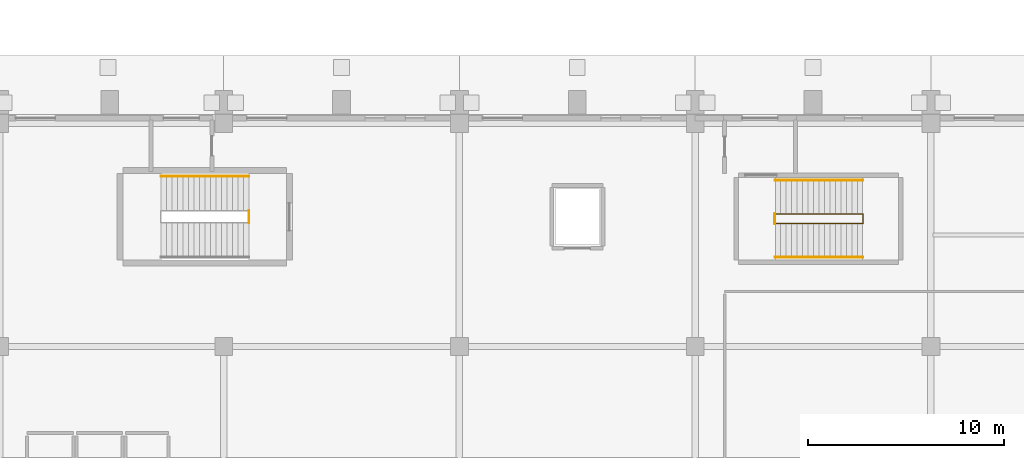
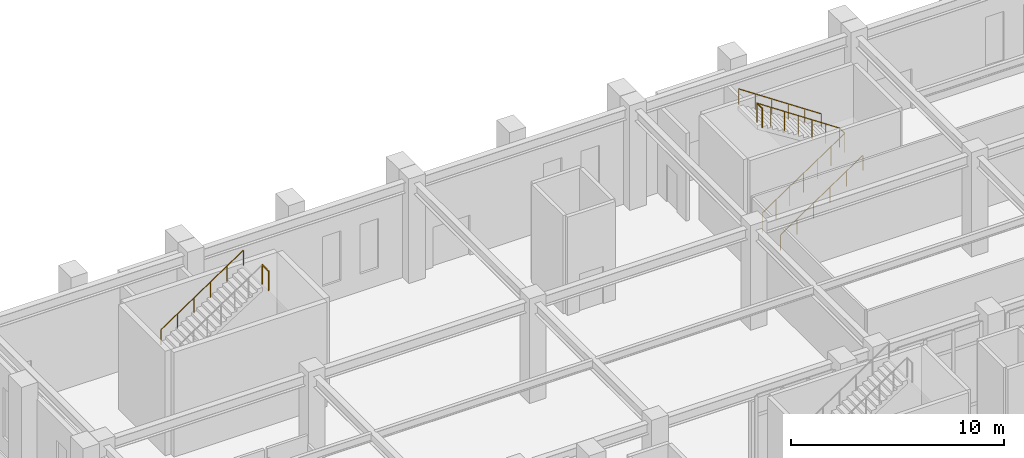
# One storey, part 140 of 143: 6 railings.
"""IFC4 building model written with IfcOpenShell, lengths in metres."""

from ifc_helpers import new_model, si_unit, derived_unit, direction, frame, origin, origin_2d, place, context, subcontext, project, spatial, circle, extrude, material, type_object, element, save


model = new_model("IFC4")

# Units and contexts
model_context = context("Model", 3, precision=1e-05, world=origin(), true_north=direction((0.0, 1.0)))
body_context = subcontext(model_context, "Body", "Model", "MODEL_VIEW")
ifc_project = project(units=[si_unit("LENGTHUNIT", "METRE"), si_unit("AREAUNIT", "SQUARE_METRE"), si_unit("VOLUMEUNIT", "CUBIC_METRE"), si_unit("PLANEANGLEUNIT", "RADIAN"), si_unit("MASSUNIT", "GRAM", prefix="KILO"), derived_unit("THERMALTRANSMITTANCEUNIT", [(si_unit("MASSUNIT", "GRAM", prefix="KILO"), 1), (si_unit("TIMEUNIT", "SECOND"), -3), (si_unit("THERMODYNAMICTEMPERATUREUNIT", "KELVIN"), -1)])], contexts=[model_context])

# Site, building, storey
site_placement = place(None, origin())
site = spatial("IfcSite", under=ifc_project, at=site_placement, CompositionType="ELEMENT")
building_placement = place(site_placement, origin())
building = spatial("IfcBuilding", under=site, at=building_placement, Name="Valcora Ridge Arena", CompositionType="ELEMENT")
storey_placement = place(building_placement, origin())
storey = spatial("IfcBuildingStorey", under=building, at=storey_placement, Name="L00", CompositionType="ELEMENT", Elevation=0.0)

# Railings
ifc_material = material(Name="Galvanized painted steel ASTM A500 Grade B", Category="steel")
railing_type_1 = type_object("IfcRailingType", Name="TY-RAILING-GRD-STAIR-1120", PredefinedType="GUARDRAIL", material=ifc_material)
railing_1_placement = place(storey_placement, frame((37.2900390625, 126.5, 6.0)))
element("IfcRailing", 1, at=railing_1_placement, inside=storey, type_object=railing_type_1, Name="GRD-STAIR-1120 RAL-SG-0076", PredefinedType="GUARDRAIL", context=body_context, shape_type="SweptSolid", body=[
    extrude(circle(Radius=0.02392578125, at=origin_2d()), frame((0.0, 0.0, 1.09619140625), z_axis=(0.0, 1.0, 0.0), x_axis=(-1.0, 0.0, 0.0)), (0.0, 0.0, 1.0), 0.60009765625),
    extrude(circle(Radius=0.02099609375, at=origin_2d()), origin(), (0.0, 0.0, 1.0), 1.072021484375),
    extrude(circle(Radius=0.02099609375, at=origin_2d()), frame((0.0, 0.60009765625, 0.0)), (0.0, 0.0, 1.0), 1.072021484375),
])
railing_2_placement = place(storey_placement, frame((64.06005859375, 126.449951171875, 0.0)))
element("IfcRailing", 2, at=railing_2_placement, inside=storey, type_object=railing_type_1, Name="GRD-STAIR-1120 RAL-SG-0155", PredefinedType="GUARDRAIL", context=body_context, shape_type="SweptSolid", body=[
    extrude(circle(Radius=0.02392578125, at=origin_2d()), frame((0.0, 0.0, 1.09619140625), z_axis=(0.830906055479, 0.0, 0.556412730775), x_axis=(0.0, 1.0, 0.0)), (0.0, 0.0, 1.0), 5.3916015625),
    extrude(circle(Radius=0.02392578125, at=origin_2d()), frame((4.47998046875, 0.0, 4.09619140625), z_axis=(0.0, 1.0, 0.0), x_axis=(-1.0, 0.0, 0.0)), (0.0, 0.0, 1.0), 0.5),
    extrude(circle(Radius=0.02392578125, at=origin_2d()), frame((4.47998046875, 0.5, 4.09619140625), z_axis=(-0.830906055479, 0.0, 0.556412730775), x_axis=(0.0, -1.0, 0.0)), (0.0, 0.0, 1.0), 5.3916015625),
    extrude(circle(Radius=0.02099609375, at=origin_2d()), origin(), (0.0, 0.0, 1.0), 1.072021484375),
    extrude(circle(Radius=0.02099609375, at=origin_2d()), frame((0.74658203125, 0.0, 0.5)), (0.0, 0.0, 1.0), 1.072021484375),
    extrude(circle(Radius=0.02099609375, at=origin_2d()), frame((1.493408203125, 0.0, 1.0)), (0.0, 0.0, 1.0), 1.072021484375),
    extrude(circle(Radius=0.02099609375, at=origin_2d()), frame((2.239990234375, 0.0, 1.5)), (0.0, 0.0, 1.0), 1.072021484375),
    extrude(circle(Radius=0.02099609375, at=origin_2d()), frame((2.986572265625, 0.0, 2.0)), (0.0, 0.0, 1.0), 1.072021484375),
    extrude(circle(Radius=0.02099609375, at=origin_2d()), frame((3.7333984375, 0.0, 2.5)), (0.0, 0.0, 1.0), 1.072021484375),
    extrude(circle(Radius=0.02099609375, at=origin_2d()), frame((4.47998046875, 0.0, 3.0)), (0.0, 0.0, 1.0), 1.072021484375),
    extrude(circle(Radius=0.02099609375, at=origin_2d()), frame((4.47998046875, 0.5, 3.0)), (0.0, 0.0, 1.0), 1.072021484375),
    extrude(circle(Radius=0.02099609375, at=origin_2d()), frame((3.7333984375, 0.5, 3.5)), (0.0, 0.0, 1.0), 1.072021484375),
    extrude(circle(Radius=0.02099609375, at=origin_2d()), frame((2.986572265625, 0.5, 4.0)), (0.0, 0.0, 1.0), 1.072021484375),
    extrude(circle(Radius=0.02099609375, at=origin_2d()), frame((2.239990234375, 0.5, 4.5)), (0.0, 0.0, 1.0), 1.072021484375),
    extrude(circle(Radius=0.02099609375, at=origin_2d()), frame((1.493408203125, 0.5, 5.0)), (0.0, 0.0, 1.0), 1.072021484375),
    extrude(circle(Radius=0.02099609375, at=origin_2d()), frame((0.74658203125, 0.5, 5.5)), (0.0, 0.0, 1.0), 1.072021484375),
    extrude(circle(Radius=0.02099609375, at=origin_2d()), frame((0.0, 0.5, 6.0)), (0.0, 0.0, 1.0), 1.072021484375),
])
railing_3_placement = place(storey_placement, frame((64.06005859375, 126.449951171875, 6.0)))
element("IfcRailing", 3, at=railing_3_placement, inside=storey, type_object=railing_type_1, Name="GRD-STAIR-1120 RAL-SG-0156", PredefinedType="GUARDRAIL", context=body_context, shape_type="SweptSolid", body=[
    extrude(circle(Radius=0.02392578125, at=origin_2d()), frame((0.0, 0.0, 1.09619140625), z_axis=(0.0, 1.0, 0.0), x_axis=(-1.0, 0.0, 0.0)), (0.0, 0.0, 1.0), 0.5),
    extrude(circle(Radius=0.02099609375, at=origin_2d()), origin(), (0.0, 0.0, 1.0), 1.072021484375),
    extrude(circle(Radius=0.02099609375, at=origin_2d()), frame((0.0, 0.5, 0.0)), (0.0, 0.0, 1.0), 1.072021484375),
])
railing_type_2 = type_object("IfcRailingType", Name="TY-RAILING-HR-STAIR-900", PredefinedType="HANDRAIL", material=ifc_material)
for number, where, name in (
    (4, (32.81005859375, 128.860107421875, 3.0), "HR-STAIR-900 RAL-SH-0076"),
    (5, (64.06005859375, 124.739990234375, 0.0), "HR-STAIR-900 RAL-SH-0155"),
):
    element("IfcRailing", number, at=place(storey_placement, frame(where)), inside=storey, type_object=railing_type_2, Name=name, PredefinedType="HANDRAIL", context=body_context, shape_type="SweptSolid", body=[
        extrude(circle(Radius=0.02392578125, at=origin_2d()), frame((0.0, 0.0, 0.8759765625), z_axis=(0.830906055479, 0.0, 0.556412730775), x_axis=(0.0, 1.0, 0.0)), (0.0, 0.0, 1.0), 5.3916015625),
        extrude(circle(Radius=0.02099609375, at=origin_2d()), origin(), (0.0, 0.0, 1.0), 0.851806640625),
        extrude(circle(Radius=0.02099609375, at=origin_2d()), frame((0.89599609375, 0.0, 0.60009765625)), (0.0, 0.0, 1.0), 0.851806640625),
        extrude(circle(Radius=0.02099609375, at=origin_2d()), frame((1.7919921875, 0.0, 1.199951171875)), (0.0, 0.0, 1.0), 0.851806640625),
        extrude(circle(Radius=0.02099609375, at=origin_2d()), frame((2.68798828125, 0.0, 1.800048828125)), (0.0, 0.0, 1.0), 0.851806640625),
        extrude(circle(Radius=0.02099609375, at=origin_2d()), frame((3.583984375, 0.0, 2.39990234375)), (0.0, 0.0, 1.0), 0.851806640625),
        extrude(circle(Radius=0.02099609375, at=origin_2d()), frame((4.47998046875, 0.0, 3.0)), (0.0, 0.0, 1.0), 0.851806640625),
    ])
railing_4_placement = place(storey_placement, frame((68.5400390625, 128.659912109375, 3.0)))
element("IfcRailing", 6, at=railing_4_placement, inside=storey, type_object=railing_type_2, Name="HR-STAIR-900 RAL-SH-0156", PredefinedType="HANDRAIL", context=body_context, shape_type="SweptSolid", body=[
    extrude(circle(Radius=0.02392578125, at=origin_2d()), frame((0.0, 0.0, 0.8759765625), z_axis=(-0.830906055479, 0.0, 0.556412730775), x_axis=(0.0, -1.0, 0.0)), (0.0, 0.0, 1.0), 5.3916015625),
    extrude(circle(Radius=0.02099609375, at=origin_2d()), origin(), (0.0, 0.0, 1.0), 0.851806640625),
    extrude(circle(Radius=0.02099609375, at=origin_2d()), frame((-0.89599609375, 0.0, 0.60009765625)), (0.0, 0.0, 1.0), 0.851806640625),
    extrude(circle(Radius=0.02099609375, at=origin_2d()), frame((-1.7919921875, 0.0, 1.199951171875)), (0.0, 0.0, 1.0), 0.851806640625),
    extrude(circle(Radius=0.02099609375, at=origin_2d()), frame((-2.68798828125, 0.0, 1.800048828125)), (0.0, 0.0, 1.0), 0.851806640625),
    extrude(circle(Radius=0.02099609375, at=origin_2d()), frame((-3.583984375, 0.0, 2.39990234375)), (0.0, 0.0, 1.0), 0.851806640625),
    extrude(circle(Radius=0.02099609375, at=origin_2d()), frame((-4.47998046875, 0.0, 3.0)), (0.0, 0.0, 1.0), 0.851806640625),
])

save(model, "model.ifc")
